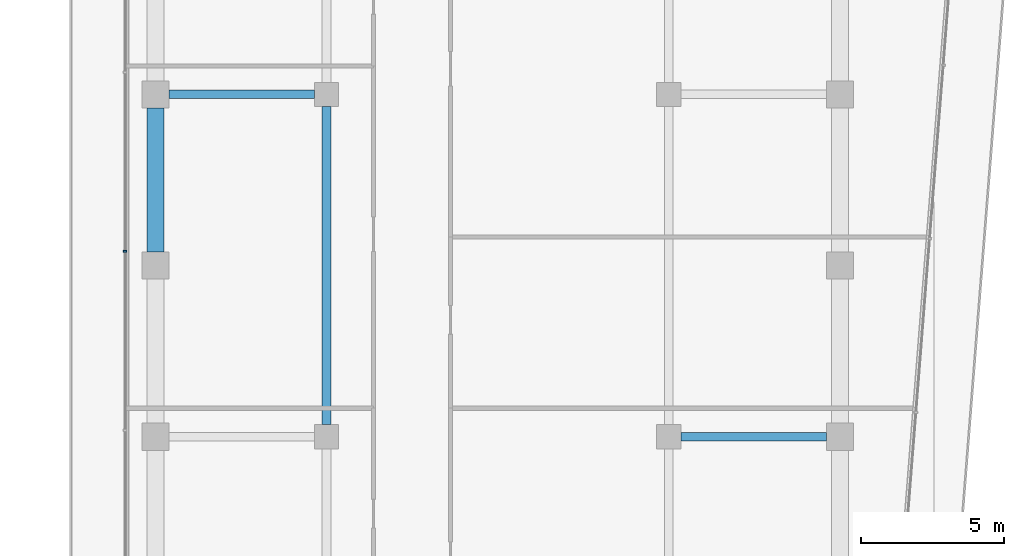
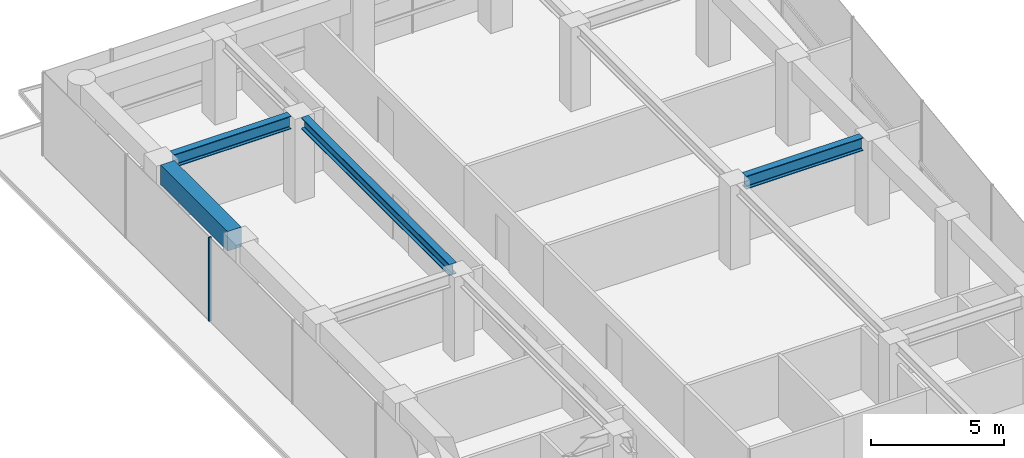
# One storey, part 16 of 29: 4 beams, 1 member, 1 element without a shape of its own.
"""IFC4 building model written with IfcOpenShell, lengths in metres."""

from ifc_helpers import new_model, si_unit, direction, frame, origin, origin_2d, place, context, subcontext, project, spatial, rectangle, i_section, extrude, material, layer, layer_set, material_profile, profile_set, type_object, element, aggregate, save


model = new_model("IFC4")

# Units and contexts
model_context = context("Model", 3, precision=1e-05, world=origin(), true_north=direction((0.0, 1.0)))
body_context = subcontext(model_context, "Body", "Model", "MODEL_VIEW")
ifc_project = project(units=[si_unit("LENGTHUNIT", "METRE"), si_unit("AREAUNIT", "SQUARE_METRE"), si_unit("VOLUMEUNIT", "CUBIC_METRE"), si_unit("PLANEANGLEUNIT", "RADIAN"), si_unit("MASSUNIT", "GRAM", prefix="KILO")], contexts=[model_context])

# Site, building, storey
site_placement = place(None, origin())
site = spatial("IfcSite", under=ifc_project, at=site_placement, CompositionType="ELEMENT")
building_placement = place(site_placement, origin())
building = spatial("IfcBuilding", under=site, at=building_placement, Name="Welwitschia Terrace Campus", CompositionType="ELEMENT")
storey_placement = place(building_placement, frame((0.0, 0.0, 33.199951171875)))
storey = spatial("IfcBuildingStorey", under=building, at=storey_placement, Name="L07", CompositionType="ELEMENT", Elevation=33.199951171875)

# Beam
ifc_material_1 = material(Name="Steel S355", Category="steel")
ifc_material_profile_1 = material_profile(ifc_material_1, i_section(OverallWidth=0.305908203125, OverallDepth=0.52392578125, WebThickness=0.02099609375, FlangeThickness=0.0400390625, FilletRadius=0.027099609375, at=origin_2d()))
ifc_profile_set_1 = profile_set([ifc_material_profile_1], Name="Steel S355")
beam_type_1 = type_object("IfcBeamType", Name="Interior girder HE 500 M", PredefinedType="BEAM", material=ifc_profile_set_1)
beam_1_placement = place(storey_placement, frame((6.0, 44.425537109375, 3.588134765625), z_axis=(0.0, 1.0, 0.0), x_axis=(-1.0, 0.0, 0.0)))
element("IfcBeam", 1, at=beam_1_placement, inside=storey, type_object=beam_type_1, Name="Girder GB2", PredefinedType="BEAM", context=body_context, shape_type="SweptSolid", body=[
    extrude(i_section(OverallWidth=0.305908203125, OverallDepth=0.52392578125, WebThickness=0.02099609375, FlangeThickness=0.0400390625, FilletRadius=0.027099609375, at=origin_2d()), origin(), (0.0, 0.0, 1.0), 11.14892578125),
])

# Curtain wall, member
ifc_material_2 = material(Name="Bronze anodised aluminium", Category="aluminium")
ifc_layer = layer(ifc_material_2, 0.1201171875)
ifc_layer_set = layer_set([ifc_layer], Name="Bronze anodised aluminium")
curtain_wall_type = type_object("IfcCurtainWallType", Name="Curtain wall CW2 tower 6000", PredefinedType="NOTDEFINED", material=ifc_layer_set)
curtain_wall_placement = place(storey_placement, origin())
curtain_wall = element("IfcCurtainWall", 2, at=curtain_wall_placement, inside=storey, type_object=curtain_wall_type, Name="CW L07.17.0", PredefinedType="NOTDEFINED")
ifc_material_3 = material(Name="Bronze anodised aluminium", Category="aluminium")
ifc_material_profile_2 = material_profile(ifc_material_3, rectangle(XDim=0.1201171875, YDim=0.06005859375, at=origin_2d()))
ifc_profile_set_2 = profile_set([ifc_material_profile_2], Name="Bronze anodised aluminium")
member_type = type_object("IfcMemberType", Name="Mullion 60x120", PredefinedType="MULLION", material=ifc_profile_set_2)
member_placement = place(storey_placement, frame((-1.05810546875, 50.504638671875, 0.0), z_axis=(0.0, 0.0, 1.0), x_axis=(1.0, 0.0, 0.0)))
member = element("IfcMember", 3, at=member_placement, type_object=member_type, Name="Mullion L07.17.0.2", PredefinedType="MULLION", context=body_context, shape_type="SweptSolid", body=[
    extrude(rectangle(XDim=0.1201171875, YDim=0.06005859375, at=origin_2d()), origin(), (0.0, 0.0, 1.0), 3.85009765625),
])
aggregate(curtain_wall, [member])

# Beams
ifc_material_4 = material(Name="Steel S355", Category="steel")
ifc_material_profile_3 = material_profile(ifc_material_4, i_section(OverallWidth=0.300048828125, OverallDepth=0.60009765625, WebThickness=0.015380859375, FlangeThickness=0.030029296875, FilletRadius=0.027099609375, at=origin_2d()))
ifc_profile_set_3 = profile_set([ifc_material_profile_3], Name="Steel S355")
beam_type_2 = type_object("IfcBeamType", Name="Primary beam HE 600 B", PredefinedType="BEAM", material=ifc_profile_set_3)
for number, where, z_axis, x_axis, name in (
    (4, (23.5244140625, 44.0, 3.550048828125), (-1.0, 0.0, 0.0), (0.0, -1.0, 0.0), "Primary beam PB2"),
    (5, (0.4755859375, 56.0, 3.550048828125), (1.0, 0.0, 0.0), (0.0, 1.0, 0.0), "Primary beam PB2"),
):
    element("IfcBeam", number, at=place(storey_placement, frame(where, z_axis=z_axis, x_axis=x_axis)), inside=storey, type_object=beam_type_2, Name=name, PredefinedType="BEAM", context=body_context, shape_type="SweptSolid", body=[
        extrude(i_section(OverallWidth=0.300048828125, OverallDepth=0.60009765625, WebThickness=0.015380859375, FlangeThickness=0.030029296875, FilletRadius=0.027099609375, at=origin_2d()), origin(), (0.0, 0.0, 1.0), 5.098876953125),
    ])
ifc_material_5 = material(Name="Concrete C60/75", Category="concrete")
ifc_material_profile_4 = material_profile(ifc_material_5, rectangle(XDim=0.60009765625, YDim=0.89990234375, at=origin_2d()))
ifc_profile_set_4 = profile_set([ifc_material_profile_4], Name="Concrete C60/75")
beam_type_3 = type_object("IfcBeamType", Name="Ring spandrel 600x900", PredefinedType="SPANDREL", material=ifc_profile_set_4)
beam_2_placement = place(storey_placement, frame((0.0, 55.5244140625, 3.400146484375), z_axis=(0.0, -1.0, 0.0), x_axis=(1.0, 0.0, 0.0)))
element("IfcBeam", 6, at=beam_2_placement, inside=storey, type_object=beam_type_3, Name="Spandrel SP2", PredefinedType="SPANDREL", context=body_context, shape_type="SweptSolid", body=[
    extrude(rectangle(XDim=0.60009765625, YDim=0.89990234375, at=origin_2d()), origin(), (0.0, 0.0, 1.0), 5.048828125),
])

save(model, "model.ifc")
